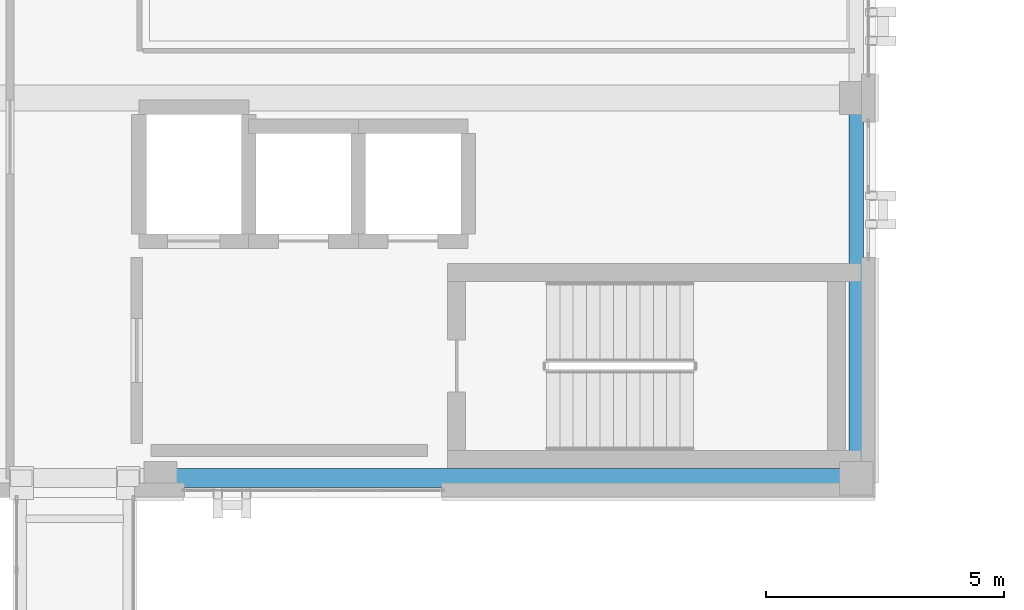
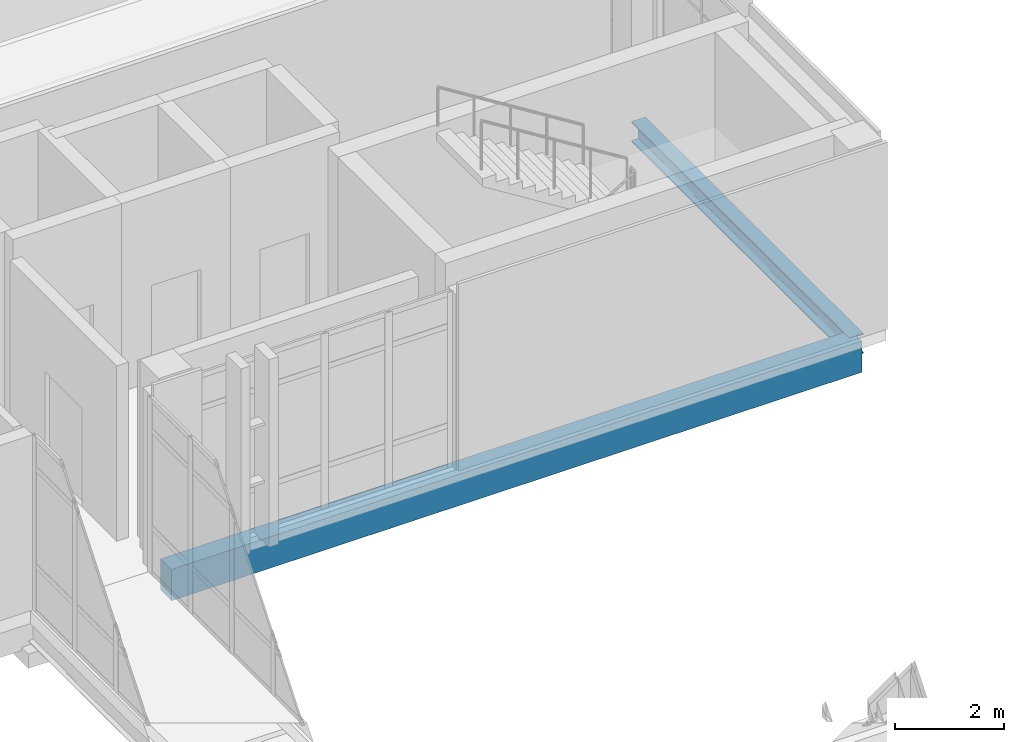
# One storey, part 61 of 165: 2 beams.
"""IFC4 building model written with IfcOpenShell, lengths in metres."""

from ifc_helpers import new_model, si_unit, direction, frame, origin, origin_2d, place, context, subcontext, project, spatial, rectangle, i_section, extrude, material, material_profile, profile_set, type_object, element, save


model = new_model("IFC4")

# Units and contexts
model_context = context("Model", 3, precision=1e-05, world=origin(), true_north=direction((0.0, 1.0)))
body_context = subcontext(model_context, "Body", "Model", "MODEL_VIEW")
ifc_project = project(units=[si_unit("LENGTHUNIT", "METRE"), si_unit("AREAUNIT", "SQUARE_METRE"), si_unit("VOLUMEUNIT", "CUBIC_METRE"), si_unit("PLANEANGLEUNIT", "RADIAN"), si_unit("MASSUNIT", "GRAM", prefix="KILO")], contexts=[model_context])

# Site, building, storey
site_placement = place(None, origin())
site = spatial("IfcSite", under=ifc_project, at=site_placement, CompositionType="ELEMENT")
building_placement = place(site_placement, origin())
building = spatial("IfcBuilding", under=site, at=building_placement, Name="Qalavern Law Courts", CompositionType="ELEMENT")
storey_placement = place(building_placement, frame((0.0, 0.0, 14.39990234375)))
storey = spatial("IfcBuildingStorey", under=building, at=storey_placement, Name="L03", CompositionType="ELEMENT", Elevation=14.39990234375)

# Beams
ifc_material_1 = material(Name="Steel S355", Category="steel")
ifc_material_profile_1 = material_profile(ifc_material_1, i_section(OverallWidth=0.300048828125, OverallDepth=0.449951171875, WebThickness=0.013916015625, FlangeThickness=0.02587890625, FilletRadius=0.027099609375, at=origin_2d()), Name="HEB 450")
ifc_profile_set_1 = profile_set([ifc_material_profile_1], Name="Steel S355")
beam_type_1 = type_object("IfcBeamType", Name="STR-SP-HEB450", PredefinedType="SPANDREL", material=ifc_profile_set_1)
beam_1_placement = place(storey_placement, frame((106.39990234375, 41.419921875, -0.510009765625), z_axis=(0.0, 1.0, 0.0), x_axis=(-1.0, 0.0, 0.0)))
element("IfcBeam", 1, at=beam_1_placement, inside=storey, type_object=beam_type_1, Name="V4 Y-beam 3-1 L03", PredefinedType="SPANDREL", context=body_context, shape_type="SweptSolid", body=[
    extrude(i_section(OverallWidth=0.300048828125, OverallDepth=0.449951171875, WebThickness=0.013916015625, FlangeThickness=0.02587890625, FilletRadius=0.027099609375, at=origin_2d()), origin(), (0.0, 0.0, 1.0), 7.97998046875),
])
ifc_material_2 = material(Name="Concrete C40/50", Category="concrete")
ifc_material_profile_2 = material_profile(ifc_material_2, rectangle(XDim=0.39990234375, YDim=0.699951171875, at=origin_2d()), Name="RC 400x700")
ifc_profile_set_2 = profile_set([ifc_material_profile_2], Name="Concrete C40/50")
beam_type_2 = type_object("IfcBeamType", Name="STR-SP-RC400x700", PredefinedType="SPANDREL", material=ifc_profile_set_2)
beam_2_placement = place(storey_placement, frame((91.800048828125, 41.419921875, -0.635009765625), z_axis=(1.0, 0.0, 0.0), x_axis=(0.0, 1.0, 0.0)))
element("IfcBeam", 2, at=beam_2_placement, inside=storey, type_object=beam_type_2, Name="V4 X-beam 1-2 L03", PredefinedType="SPANDREL", context=body_context, shape_type="SweptSolid", body=[
    extrude(rectangle(XDim=0.39990234375, YDim=0.699951171875, at=origin_2d()), origin(), (0.0, 0.0, 1.0), 14.599853515625),
])

save(model, "model.ifc")
